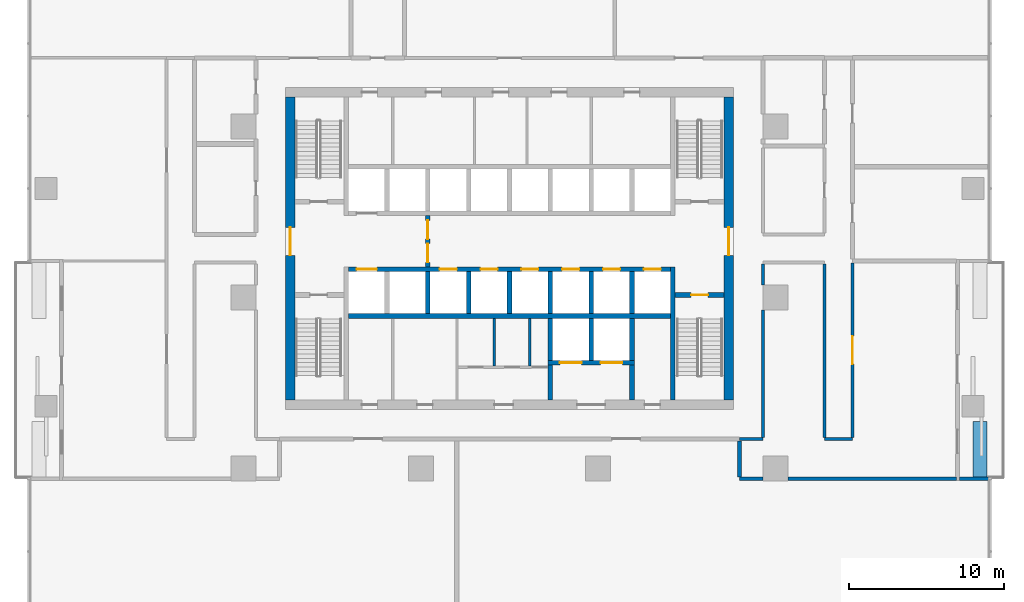
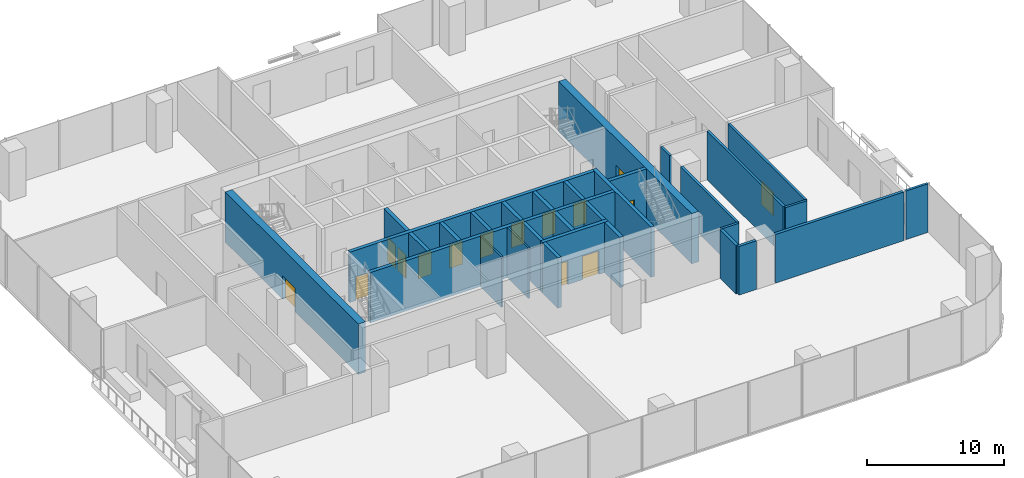
# One storey, part 8 of 14: 32 walls, 15 doors, 15 openings.
"""IFC4 building model written with IfcOpenShell, lengths in metres."""

from ifc_helpers import new_model, si_unit, direction, frame, frame_2d, origin, place, context, subcontext, project, spatial, rectangle, extrude, material, layer, layer_set, type_object, element, fill, save


model = new_model("IFC4")

# Units and contexts
model_context = context("Model", 3, precision=1e-05, world=origin(), true_north=direction((0.0, 1.0)))
body_context = subcontext(model_context, "Body", "Model", "MODEL_VIEW")
ifc_project = project(units=[si_unit("LENGTHUNIT", "METRE"), si_unit("AREAUNIT", "SQUARE_METRE"), si_unit("VOLUMEUNIT", "CUBIC_METRE"), si_unit("PLANEANGLEUNIT", "RADIAN"), si_unit("MASSUNIT", "GRAM", prefix="KILO")], contexts=[model_context])

# Site, building, storey
site_placement = place(None, origin())
site = spatial("IfcSite", under=ifc_project, at=site_placement, CompositionType="ELEMENT")
building_placement = place(site_placement, origin())
building = spatial("IfcBuilding", under=site, at=building_placement, Name="Mopane Tessera Tower", CompositionType="ELEMENT")
storey_placement = place(building_placement, frame((0.0, 0.0, 50.199951171875)))
storey = spatial("IfcBuildingStorey", under=building, at=storey_placement, Name="L09", CompositionType="ELEMENT", Elevation=50.199951171875)

# Walls
ifc_material_1 = material(Name="Fire-rated gypsum board partition")
ifc_layer_1 = layer(ifc_material_1, 0.14990234375)
ifc_layer_set_1 = layer_set([ifc_layer_1], Name="Fire-rated gypsum board partition")
wall_type_1 = type_object("IfcWallType", Name="Core room partition 150 mm", PredefinedType="PARTITIONING", material=ifc_layer_set_1)
for number, where, z_axis, x_axis, name in (
    (1, (-0.97509765625, -4.425048828125, 0.0), (0.0, 0.0, 1.0), (0.0, 1.0, 0.0), "L09 WC partition"),
    (2, (1.304931640625, -4.425048828125, 0.0), (0.0, 0.0, 1.0), (0.0, 1.0, 0.0), "L09 WC partition"),
):
    element("IfcWall", number, at=place(storey_placement, frame(where, z_axis=z_axis, x_axis=x_axis)), inside=storey, type_object=wall_type_1, Name=name, PredefinedType="PARTITIONING", context=body_context, shape_type="SweptSolid", body=[
        extrude(rectangle(XDim=3.074951171875, YDim=0.14990234375, at=frame_2d((1.53759765625, 0.0))), origin(), (0.0, 0.0, 1.0), 4.5),
    ])

# Wall, opening, door
ifc_material_2 = material(Name="Concrete C70/85", Category="concrete")
ifc_layer_2 = layer(ifc_material_2, 0.60009765625)
ifc_layer_set_2 = layer_set([ifc_layer_2], Name="Concrete C70/85")
wall_type_2 = type_object("IfcWallType", Name="Core shear wall 600 mm", PredefinedType="SHEAR", material=ifc_layer_set_2)
wall_1_placement = place(storey_placement, frame((-14.10009765625, -6.60009765625, 0.0), z_axis=(0.0, 0.0, 1.0), x_axis=(0.0, 1.0, 0.0)))
wall_1 = element("IfcWall", 3, at=wall_1_placement, inside=storey, type_object=wall_type_2, Name="L09 Core wall west", PredefinedType="SHEAR", context=body_context, shape_type="SweptSolid", body=[
    extrude(rectangle(XDim=19.5, YDim=0.60009765625, at=frame_2d((9.75, 0.0))), origin(), (0.0, 0.0, 1.0), 4.5),
])
opening_1_placement = place(wall_1_placement, frame((9.300048828125, 0.0, 0.0)))
opening_1 = element("IfcOpeningElement", 4, at=opening_1_placement, cuts=wall_1, Name="Opening SD2", PredefinedType="OPENING", context=body_context, shape_type="SweptSolid", body=[
    extrude(rectangle(XDim=1.800048828125, YDim=2.10009765625, at=frame_2d((0.89990234375, 1.050048828125))), frame((0.0, 0.31201171875, 0.0), z_axis=(0.0, -1.0, 0.0), x_axis=(1.0, 0.0, 0.0)), (0.0, 0.0, 1.0), 0.6240234375),
])
ifc_material_3 = material(Name="Steel fire door", Category="steel")
door_type_1 = type_object("IfcDoorType", Name="Core entrance double door 1800 x 2100", OperationType="DOUBLE_DOOR_SINGLE_SWING", PredefinedType="DOOR", material=ifc_material_3)
door_1_placement = place(opening_1_placement, origin())
door_1 = element("IfcDoor", 5, at=door_1_placement, inside=storey, type_object=door_type_1, Name="L09 Core entrance door west", OperationType="DOUBLE_DOOR_SINGLE_SWING", OverallHeight=2.10009765625, OverallWidth=1.800048828125, PredefinedType="DOOR", context=body_context, shape_type="SweptSolid", body=[
    extrude(rectangle(XDim=1.800048828125, YDim=2.10009765625, at=frame_2d((0.89990234375, 1.050048828125))), frame((0.0, 0.02490234375, 0.0), z_axis=(0.0, -1.0, 0.0), x_axis=(1.0, 0.0, 0.0)), (0.0, 0.0, 1.0), 0.050048828125),
])
fill(opening_1, door_1)

wall_2_placement = place(storey_placement, frame((14.10009765625, -6.60009765625, 0.0), z_axis=(0.0, 0.0, 1.0), x_axis=(0.0, 1.0, 0.0)))
wall_2 = element("IfcWall", 6, at=wall_2_placement, inside=storey, type_object=wall_type_2, Name="L09 Core wall east", PredefinedType="SHEAR", context=body_context, shape_type="SweptSolid", body=[
    extrude(rectangle(XDim=19.5, YDim=0.60009765625, at=frame_2d((9.75, 0.0))), origin(), (0.0, 0.0, 1.0), 4.5),
])
opening_2_placement = place(wall_2_placement, frame((9.300048828125, 0.0, 0.0)))
opening_2 = element("IfcOpeningElement", 7, at=opening_2_placement, cuts=wall_2, Name="Opening SD2", PredefinedType="OPENING", context=body_context, shape_type="SweptSolid", body=[
    extrude(rectangle(XDim=1.800048828125, YDim=2.10009765625, at=frame_2d((0.89990234375, 1.050048828125))), frame((0.0, 0.31201171875, 0.0), z_axis=(0.0, -1.0, 0.0), x_axis=(1.0, 0.0, 0.0)), (0.0, 0.0, 1.0), 0.6240234375),
])
door_2_placement = place(opening_2_placement, origin())
door_2 = element("IfcDoor", 8, at=door_2_placement, inside=storey, type_object=door_type_1, Name="L09 Core entrance door east", OperationType="DOUBLE_DOOR_SINGLE_SWING", OverallHeight=2.10009765625, OverallWidth=1.800048828125, PredefinedType="DOOR", context=body_context, shape_type="SweptSolid", body=[
    extrude(rectangle(XDim=1.800048828125, YDim=2.10009765625, at=frame_2d((0.89990234375, 1.050048828125))), frame((0.0, 0.02490234375, 0.0), z_axis=(0.0, -1.0, 0.0), x_axis=(1.0, 0.0, 0.0)), (0.0, 0.0, 1.0), 0.050048828125),
])
fill(opening_2, door_2)

# Walls
ifc_material_4 = material(Name="Concrete C60/75", Category="concrete")
ifc_layer_3 = layer(ifc_material_4, 0.300048828125)
ifc_layer_set_3 = layer_set([ifc_layer_3], Name="Concrete C60/75")
wall_type_3 = type_object("IfcWallType", Name="Core spine wall 300 mm", PredefinedType="SHEAR", material=ifc_layer_set_3)
wall_3_placement = place(storey_placement, frame((10.5, -6.60009765625, 0.0), z_axis=(0.0, 0.0, 1.0), x_axis=(0.0, 1.0, 0.0)))
element("IfcWall", 9, at=wall_3_placement, inside=storey, type_object=wall_type_3, Name="L09 Core spine wall", PredefinedType="SHEAR", context=body_context, shape_type="SweptSolid", body=[
    extrude(rectangle(XDim=8.550048828125, YDim=0.300048828125, at=frame_2d((4.27490234375, 0.0))), origin(), (0.0, 0.0, 1.0), 4.5),
])
ifc_material_5 = material(Name="Gypsum board on steel studs, two layers each face, mineral wool infill", Category="steel")
ifc_layer_4 = layer(ifc_material_5, 0.199951171875)
ifc_layer_set_4 = layer_set([ifc_layer_4], Name="Gypsum board on steel studs, two layers each face, mineral wool infill")
wall_type_4 = type_object("IfcWallType", Name="Gypsum board corridor wall 200, rated EI 60", PredefinedType="PARTITIONING", material=ifc_layer_set_4)
wall_4_placement = place(storey_placement, frame((14.800048828125, -9.10009765625, 0.0), z_axis=(0.0, 0.0, 1.0), x_axis=(1.0, 0.0, 0.0)))
element("IfcWall", 10, at=wall_4_placement, inside=storey, type_object=wall_type_4, Name="Partition L09:006", PredefinedType="PARTITIONING", context=body_context, shape_type="SweptSolid", body=[
    extrude(rectangle(XDim=1.5, YDim=0.199951171875, at=frame_2d((0.75, 0.0))), origin(), (0.0, 0.0, 1.0), 4.35009765625),
])
wall_5_placement = place(storey_placement, frame((20.25, -9.10009765625, 0.0), z_axis=(0.0, 0.0, 1.0), x_axis=(1.0, 0.0, 0.0)))
element("IfcWall", 11, at=wall_5_placement, inside=storey, type_object=wall_type_4, Name="Partition L09:007", PredefinedType="PARTITIONING", context=body_context, shape_type="SweptSolid", body=[
    extrude(rectangle(XDim=1.800048828125, YDim=0.199951171875, at=frame_2d((0.89990234375, 0.0))), origin(), (0.0, 0.0, 1.0), 4.35009765625),
])
wall_6_placement = place(storey_placement, frame((16.300048828125, -9.0, 0.0), z_axis=(0.0, 0.0, 1.0), x_axis=(0.0, 1.0, 0.0)))
element("IfcWall", 12, at=wall_6_placement, inside=storey, type_object=wall_type_4, Name="Partition L09:041", PredefinedType="PARTITIONING", context=body_context, shape_type="SweptSolid", body=[
    extrude(rectangle(XDim=8.199951171875, YDim=0.199951171875, at=frame_2d((4.10009765625, 0.0))), origin(), (0.0, 0.0, 1.0), 4.35009765625),
])
wall_7_placement = place(storey_placement, frame((16.300048828125, 0.800048828125, 0.0), z_axis=(0.0, 0.0, 1.0), x_axis=(0.0, 1.0, 0.0)))
element("IfcWall", 13, at=wall_7_placement, inside=storey, type_object=wall_type_4, Name="Partition L09:042", PredefinedType="PARTITIONING", context=body_context, shape_type="SweptSolid", body=[
    extrude(rectangle(XDim=1.349853515625, YDim=0.199951171875, at=frame_2d((0.6748046875, 0.0))), origin(), (0.0, 0.0, 1.0), 4.35009765625),
])
wall_8_placement = place(storey_placement, frame((20.25, -9.0, 0.0), z_axis=(0.0, 0.0, 1.0), x_axis=(0.0, 1.0, 0.0)))
element("IfcWall", 14, at=wall_8_placement, inside=storey, type_object=wall_type_4, Name="Partition L09:046", PredefinedType="PARTITIONING", context=body_context, shape_type="SweptSolid", body=[
    extrude(rectangle(XDim=11.14990234375, YDim=0.199951171875, at=frame_2d((5.574951171875, 0.0))), origin(), (0.0, 0.0, 1.0), 4.35009765625),
])

# Wall, opening, door
wall_9_placement = place(storey_placement, frame((22.050048828125, -9.0, 0.0), z_axis=(0.0, 0.0, 1.0), x_axis=(0.0, 1.0, 0.0)))
wall_9 = element("IfcWall", 15, at=wall_9_placement, inside=storey, type_object=wall_type_4, Name="Partition L09:049", PredefinedType="PARTITIONING", context=body_context, shape_type="SweptSolid", body=[
    extrude(rectangle(XDim=11.2099609375, YDim=0.199951171875, at=frame_2d((5.60498046875, 0.0))), origin(), (0.0, 0.0, 1.0), 4.35009765625),
])
opening_3_placement = place(wall_9_placement, frame((4.705078125, 0.0, 0.0)))
opening_3 = element("IfcOpeningElement", 16, at=opening_3_placement, cuts=wall_9, Name="Opening L09-15", PredefinedType="OPENING", context=body_context, shape_type="SweptSolid", body=[
    extrude(rectangle(XDim=1.800048828125, YDim=2.10009765625, at=frame_2d((0.89990234375, 1.050048828125))), frame((0.0, 0.112060546875, 0.0), z_axis=(0.0, -1.0, 0.0), x_axis=(1.0, 0.0, 0.0)), (0.0, 0.0, 1.0), 0.223876953125),
])
ifc_material_6 = material(Name="Timber veneered steel-framed fire door", Category="steel")
door_type_2 = type_object("IfcDoorType", Name="Fire door pair FD60 1800 x 2100", OperationType="DOUBLE_DOOR_SINGLE_SWING", PredefinedType="DOOR", material=ifc_material_6)
door_3_placement = place(opening_3_placement, origin())
door_3 = element("IfcDoor", 17, at=door_3_placement, inside=storey, type_object=door_type_2, Name="Door L09-15", ObjectType="D20A", OperationType="DOUBLE_DOOR_SINGLE_SWING", OverallHeight=2.10009765625, OverallWidth=1.800048828125, PredefinedType="DOOR", context=body_context, shape_type="SweptSolid", body=[
    extrude(rectangle(XDim=1.800048828125, YDim=2.10009765625, at=frame_2d((0.89990234375, 1.050048828125))), frame((0.0, 0.02490234375, 0.0), z_axis=(0.0, -1.0, 0.0), x_axis=(1.0, 0.0, 0.0)), (0.0, 0.0, 1.0), 0.050048828125),
])
fill(opening_3, door_3)

ifc_material_7 = material(Name="Concrete C50/60", Category="concrete")
ifc_layer_5 = layer(ifc_material_7, 0.300048828125)
ifc_layer_set_5 = layer_set([ifc_layer_5], Name="Concrete C50/60")
wall_type_5 = type_object("IfcWallType", Name="Lift and stair shaft wall 300 mm", PredefinedType="SOLIDWALL", material=ifc_layer_set_5)
wall_10_placement = place(storey_placement, frame((10.64990234375, 0.14990234375, 0.0), z_axis=(0.0, 0.0, 1.0), x_axis=(1.0, 0.0, 0.0)))
wall_10 = element("IfcWall", 18, at=wall_10_placement, inside=storey, type_object=wall_type_5, Name="L09 Stair enclosure wall", PredefinedType="SOLIDWALL", context=body_context, shape_type="SweptSolid", body=[
    extrude(rectangle(XDim=3.150146484375, YDim=0.300048828125, at=frame_2d((1.5751953125, 0.0))), origin(), (0.0, 0.0, 1.0), 4.5),
])
opening_4_placement = place(wall_10_placement, frame((1.02490234375, 0.0, 0.0)))
opening_4 = element("IfcOpeningElement", 19, at=opening_4_placement, cuts=wall_10, Name="Opening SD1", PredefinedType="OPENING", context=body_context, shape_type="SweptSolid", body=[
    extrude(rectangle(XDim=1.10009765625, YDim=2.10009765625, at=frame_2d((0.550048828125, 1.050048828125))), frame((0.0, 0.162109375, 0.0), z_axis=(0.0, -1.0, 0.0), x_axis=(1.0, 0.0, 0.0)), (0.0, 0.0, 1.0), 0.323974609375),
])
ifc_material_8 = material(Name="Steel fire door", Category="steel")
door_type_3 = type_object("IfcDoorType", Name="Stair fire door 1100 x 2100", OperationType="SINGLE_SWING_LEFT", PredefinedType="DOOR", material=ifc_material_8)
door_4_placement = place(opening_4_placement, origin())
door_4 = element("IfcDoor", 20, at=door_4_placement, inside=storey, type_object=door_type_3, Name="L09 Stair door ST3", OperationType="SINGLE_SWING_RIGHT", OverallHeight=2.10009765625, OverallWidth=1.10009765625, PredefinedType="DOOR", context=body_context, shape_type="SweptSolid", body=[
    extrude(rectangle(XDim=1.10009765625, YDim=2.10009765625, at=frame_2d((0.550048828125, 1.050048828125))), frame((0.0, 0.02490234375, 0.0), z_axis=(0.0, -1.0, 0.0), x_axis=(1.0, 0.0, 0.0)), (0.0, 0.0, 1.0), 0.050048828125),
])
fill(opening_4, door_4)

# Wall
wall_11_placement = place(storey_placement, frame((-10.35009765625, -1.199951171875, 0.0), z_axis=(0.0, 0.0, 1.0), x_axis=(1.0, 0.0, 0.0)))
element("IfcWall", 21, at=wall_11_placement, inside=storey, type_object=wall_type_5, Name="L09 Lift shaft rear wall", PredefinedType="SOLIDWALL", context=body_context, shape_type="SweptSolid", body=[
    extrude(rectangle(XDim=20.7001953125, YDim=0.300048828125, at=frame_2d((10.35009765625, 0.0))), origin(), (0.0, 0.0, 1.0), 4.5),
])

# Wall, openings, doors
wall_12_placement = place(storey_placement, frame((-10.35009765625, 1.800048828125, 0.0), z_axis=(0.0, 0.0, 1.0), x_axis=(1.0, 0.0, 0.0)))
wall_12 = element("IfcWall", 22, at=wall_12_placement, inside=storey, type_object=wall_type_5, Name="L09 Lift shaft front wall", PredefinedType="SOLIDWALL", context=body_context, shape_type="SweptSolid", body=[
    extrude(rectangle(XDim=20.7001953125, YDim=0.300048828125, at=frame_2d((10.35009765625, 0.0))), origin(), (0.0, 0.0, 1.0), 4.5),
])
opening_5_placement = place(wall_12_placement, frame((0.512451171875, 0.0, 0.0)))
opening_5 = element("IfcOpeningElement", 23, at=opening_5_placement, cuts=wall_12, Name="Opening LD2", PredefinedType="OPENING", context=body_context, shape_type="SweptSolid", body=[
    extrude(rectangle(XDim=1.300048828125, YDim=2.10009765625, at=frame_2d((0.64990234375, 1.050048828125))), frame((0.0, 0.162109375, 0.0), z_axis=(0.0, -1.0, 0.0), x_axis=(1.0, 0.0, 0.0)), (0.0, 0.0, 1.0), 0.323974609375),
])
opening_6_placement = place(wall_12_placement, frame((5.862548828125, 0.0, 0.0)))
opening_6 = element("IfcOpeningElement", 24, at=opening_6_placement, cuts=wall_12, Name="Opening LD", PredefinedType="OPENING", context=body_context, shape_type="SweptSolid", body=[
    extrude(rectangle(XDim=1.10009765625, YDim=2.10009765625, at=frame_2d((0.550048828125, 1.050048828125))), frame((0.0, 0.162109375, 0.0), z_axis=(0.0, -1.0, 0.0), x_axis=(1.0, 0.0, 0.0)), (0.0, 0.0, 1.0), 0.323974609375),
])
opening_7_placement = place(wall_12_placement, frame((8.487548828125, 0.0, 0.0)))
opening_7 = element("IfcOpeningElement", 25, at=opening_7_placement, cuts=wall_12, Name="Opening LD", PredefinedType="OPENING", context=body_context, shape_type="SweptSolid", body=[
    extrude(rectangle(XDim=1.10009765625, YDim=2.10009765625, at=frame_2d((0.550048828125, 1.050048828125))), frame((0.0, 0.162109375, 0.0), z_axis=(0.0, -1.0, 0.0), x_axis=(1.0, 0.0, 0.0)), (0.0, 0.0, 1.0), 0.323974609375),
])
opening_8_placement = place(wall_12_placement, frame((11.112548828125, 0.0, 0.0)))
opening_8 = element("IfcOpeningElement", 26, at=opening_8_placement, cuts=wall_12, Name="Opening LD", PredefinedType="OPENING", context=body_context, shape_type="SweptSolid", body=[
    extrude(rectangle(XDim=1.10009765625, YDim=2.10009765625, at=frame_2d((0.550048828125, 1.050048828125))), frame((0.0, 0.162109375, 0.0), z_axis=(0.0, -1.0, 0.0), x_axis=(1.0, 0.0, 0.0)), (0.0, 0.0, 1.0), 0.323974609375),
])
opening_9_placement = place(wall_12_placement, frame((13.737548828125, 0.0, 0.0)))
opening_9 = element("IfcOpeningElement", 27, at=opening_9_placement, cuts=wall_12, Name="Opening LD", PredefinedType="OPENING", context=body_context, shape_type="SweptSolid", body=[
    extrude(rectangle(XDim=1.10009765625, YDim=2.10009765625, at=frame_2d((0.550048828125, 1.050048828125))), frame((0.0, 0.162109375, 0.0), z_axis=(0.0, -1.0, 0.0), x_axis=(1.0, 0.0, 0.0)), (0.0, 0.0, 1.0), 0.323974609375),
])
opening_10_placement = place(wall_12_placement, frame((16.362548828125, 0.0, 0.0)))
opening_10 = element("IfcOpeningElement", 28, at=opening_10_placement, cuts=wall_12, Name="Opening LD", PredefinedType="OPENING", context=body_context, shape_type="SweptSolid", body=[
    extrude(rectangle(XDim=1.10009765625, YDim=2.10009765625, at=frame_2d((0.550048828125, 1.050048828125))), frame((0.0, 0.162109375, 0.0), z_axis=(0.0, -1.0, 0.0), x_axis=(1.0, 0.0, 0.0)), (0.0, 0.0, 1.0), 0.323974609375),
])
opening_11_placement = place(wall_12_placement, frame((18.987548828125, 0.0, 0.0)))
opening_11 = element("IfcOpeningElement", 29, at=opening_11_placement, cuts=wall_12, Name="Opening LD", PredefinedType="OPENING", context=body_context, shape_type="SweptSolid", body=[
    extrude(rectangle(XDim=1.10009765625, YDim=2.10009765625, at=frame_2d((0.550048828125, 1.050048828125))), frame((0.0, 0.162109375, 0.0), z_axis=(0.0, -1.0, 0.0), x_axis=(1.0, 0.0, 0.0)), (0.0, 0.0, 1.0), 0.323974609375),
])
ifc_material_9 = material(Name="Stainless steel sliding door", Category="steel")
door_type_4 = type_object("IfcDoorType", Name="Fire-fighting lift landing door 1300 x 2100", OperationType="DOUBLE_DOOR_SLIDING", PredefinedType="DOOR", material=ifc_material_9)
door_5_placement = place(opening_5_placement, origin())
door_5 = element("IfcDoor", 30, at=door_5_placement, inside=storey, type_object=door_type_4, Name="L09 Lift landing door FF1", OperationType="DOUBLE_DOOR_SLIDING", OverallHeight=2.10009765625, OverallWidth=1.300048828125, PredefinedType="DOOR", context=body_context, shape_type="SweptSolid", body=[
    extrude(rectangle(XDim=1.300048828125, YDim=2.10009765625, at=frame_2d((0.64990234375, 1.050048828125))), frame((0.0, 0.02490234375, 0.0), z_axis=(0.0, -1.0, 0.0), x_axis=(1.0, 0.0, 0.0)), (0.0, 0.0, 1.0), 0.050048828125),
])
fill(opening_5, door_5)
ifc_material_10 = material(Name="Stainless steel sliding door", Category="steel")
door_type_5 = type_object("IfcDoorType", Name="Lift landing door 1100 x 2100", OperationType="DOUBLE_DOOR_SLIDING", PredefinedType="DOOR", material=ifc_material_10)
door_6_placement = place(opening_6_placement, origin())
door_6 = element("IfcDoor", 31, at=door_6_placement, inside=storey, type_object=door_type_5, Name="L09 Lift landing door LR1", OperationType="DOUBLE_DOOR_SLIDING", OverallHeight=2.10009765625, OverallWidth=1.10009765625, PredefinedType="DOOR", context=body_context, shape_type="SweptSolid", body=[
    extrude(rectangle(XDim=1.10009765625, YDim=2.10009765625, at=frame_2d((0.550048828125, 1.050048828125))), frame((0.0, 0.02490234375, 0.0), z_axis=(0.0, -1.0, 0.0), x_axis=(1.0, 0.0, 0.0)), (0.0, 0.0, 1.0), 0.050048828125),
])
fill(opening_6, door_6)
door_7_placement = place(opening_7_placement, origin())
door_7 = element("IfcDoor", 32, at=door_7_placement, inside=storey, type_object=door_type_5, Name="L09 Lift landing door LR2", OperationType="DOUBLE_DOOR_SLIDING", OverallHeight=2.10009765625, OverallWidth=1.10009765625, PredefinedType="DOOR", context=body_context, shape_type="SweptSolid", body=[
    extrude(rectangle(XDim=1.10009765625, YDim=2.10009765625, at=frame_2d((0.550048828125, 1.050048828125))), frame((0.0, 0.02490234375, 0.0), z_axis=(0.0, -1.0, 0.0), x_axis=(1.0, 0.0, 0.0)), (0.0, 0.0, 1.0), 0.050048828125),
])
fill(opening_7, door_7)
door_8_placement = place(opening_8_placement, origin())
door_8 = element("IfcDoor", 33, at=door_8_placement, inside=storey, type_object=door_type_5, Name="L09 Lift landing door LR3", OperationType="DOUBLE_DOOR_SLIDING", OverallHeight=2.10009765625, OverallWidth=1.10009765625, PredefinedType="DOOR", context=body_context, shape_type="SweptSolid", body=[
    extrude(rectangle(XDim=1.10009765625, YDim=2.10009765625, at=frame_2d((0.550048828125, 1.050048828125))), frame((0.0, 0.02490234375, 0.0), z_axis=(0.0, -1.0, 0.0), x_axis=(1.0, 0.0, 0.0)), (0.0, 0.0, 1.0), 0.050048828125),
])
fill(opening_8, door_8)
door_9_placement = place(opening_9_placement, origin())
door_9 = element("IfcDoor", 34, at=door_9_placement, inside=storey, type_object=door_type_5, Name="L09 Lift landing door LR4", OperationType="DOUBLE_DOOR_SLIDING", OverallHeight=2.10009765625, OverallWidth=1.10009765625, PredefinedType="DOOR", context=body_context, shape_type="SweptSolid", body=[
    extrude(rectangle(XDim=1.10009765625, YDim=2.10009765625, at=frame_2d((0.550048828125, 1.050048828125))), frame((0.0, 0.02490234375, 0.0), z_axis=(0.0, -1.0, 0.0), x_axis=(1.0, 0.0, 0.0)), (0.0, 0.0, 1.0), 0.050048828125),
])
fill(opening_9, door_9)
door_10_placement = place(opening_10_placement, origin())
door_10 = element("IfcDoor", 35, at=door_10_placement, inside=storey, type_object=door_type_5, Name="L09 Lift landing door LR5", OperationType="DOUBLE_DOOR_SLIDING", OverallHeight=2.10009765625, OverallWidth=1.10009765625, PredefinedType="DOOR", context=body_context, shape_type="SweptSolid", body=[
    extrude(rectangle(XDim=1.10009765625, YDim=2.10009765625, at=frame_2d((0.550048828125, 1.050048828125))), frame((0.0, 0.02490234375, 0.0), z_axis=(0.0, -1.0, 0.0), x_axis=(1.0, 0.0, 0.0)), (0.0, 0.0, 1.0), 0.050048828125),
])
fill(opening_10, door_10)
door_11_placement = place(opening_11_placement, origin())
door_11 = element("IfcDoor", 36, at=door_11_placement, inside=storey, type_object=door_type_5, Name="L09 Lift landing door LR6", OperationType="DOUBLE_DOOR_SLIDING", OverallHeight=2.10009765625, OverallWidth=1.10009765625, PredefinedType="DOOR", context=body_context, shape_type="SweptSolid", body=[
    extrude(rectangle(XDim=1.10009765625, YDim=2.10009765625, at=frame_2d((0.550048828125, 1.050048828125))), frame((0.0, 0.02490234375, 0.0), z_axis=(0.0, -1.0, 0.0), x_axis=(1.0, 0.0, 0.0)), (0.0, 0.0, 1.0), 0.050048828125),
])
fill(opening_11, door_11)

# Walls
for number, where, z_axis, x_axis, name in (
    (37, (-5.25, -1.050048828125, 0.0), (0.0, 0.0, 1.0), (0.0, 1.0, 0.0), "L09 Lift shaft wall"),
    (38, (-2.625, -1.050048828125, 0.0), (0.0, 0.0, 1.0), (0.0, 1.0, 0.0), "L09 Lift shaft wall"),
    (39, (0.0, -1.050048828125, 0.0), (0.0, 0.0, 1.0), (0.0, 1.0, 0.0), "L09 Lift shaft wall"),
    (40, (2.625, -1.050048828125, 0.0), (0.0, 0.0, 1.0), (0.0, 1.0, 0.0), "L09 Lift shaft wall"),
    (41, (5.25, -1.050048828125, 0.0), (0.0, 0.0, 1.0), (0.0, 1.0, 0.0), "L09 Lift shaft wall"),
    (42, (7.875, -1.050048828125, 0.0), (0.0, 0.0, 1.0), (0.0, 1.0, 0.0), "L09 Lift shaft wall"),
):
    element("IfcWall", number, at=place(storey_placement, frame(where, z_axis=z_axis, x_axis=x_axis)), inside=storey, type_object=wall_type_5, Name=name, PredefinedType="SOLIDWALL", context=body_context, shape_type="SweptSolid", body=[
        extrude(rectangle(XDim=2.699951171875, YDim=0.300048828125, at=frame_2d((1.35009765625, 0.0))), origin(), (0.0, 0.0, 1.0), 4.5),
    ])

# Wall, openings, doors
wall_13_placement = place(storey_placement, frame((2.47509765625, -4.199951171875, 0.0), z_axis=(0.0, 0.0, 1.0), x_axis=(1.0, 0.0, 0.0)))
wall_13 = element("IfcWall", 43, at=wall_13_placement, inside=storey, type_object=wall_type_5, Name="L09 Lift shaft front wall", PredefinedType="SOLIDWALL", context=body_context, shape_type="SweptSolid", body=[
    extrude(rectangle(XDim=5.5498046875, YDim=0.300048828125, at=frame_2d((2.77490234375, 0.0))), origin(), (0.0, 0.0, 1.0), 4.5),
])
opening_12_placement = place(wall_13_placement, frame((0.762451171875, 0.0, 0.0)))
opening_12 = element("IfcOpeningElement", 44, at=opening_12_placement, cuts=wall_13, Name="Opening LD3", PredefinedType="OPENING", context=body_context, shape_type="SweptSolid", body=[
    extrude(rectangle(XDim=1.39990234375, YDim=2.10009765625, at=frame_2d((0.699951171875, 1.050048828125))), frame((0.0, 0.162109375, 0.0), z_axis=(0.0, -1.0, 0.0), x_axis=(1.0, 0.0, 0.0)), (0.0, 0.0, 1.0), 0.323974609375),
])
opening_13_placement = place(wall_13_placement, frame((3.387451171875, 0.0, 0.0)))
opening_13 = element("IfcOpeningElement", 45, at=opening_13_placement, cuts=wall_13, Name="Opening LD3", PredefinedType="OPENING", context=body_context, shape_type="SweptSolid", body=[
    extrude(rectangle(XDim=1.39990234375, YDim=2.10009765625, at=frame_2d((0.699951171875, 1.050048828125))), frame((0.0, 0.162109375, 0.0), z_axis=(0.0, -1.0, 0.0), x_axis=(1.0, 0.0, 0.0)), (0.0, 0.0, 1.0), 0.323974609375),
])
ifc_material_11 = material(Name="Stainless steel sliding door", Category="steel")
door_type_6 = type_object("IfcDoorType", Name="Service lift landing door 1400 x 2100", OperationType="DOUBLE_DOOR_SLIDING", PredefinedType="DOOR", material=ifc_material_11)
door_12_placement = place(opening_12_placement, origin())
door_12 = element("IfcDoor", 46, at=door_12_placement, inside=storey, type_object=door_type_6, Name="L09 Lift landing door SV1", OperationType="DOUBLE_DOOR_SLIDING", OverallHeight=2.10009765625, OverallWidth=1.39990234375, PredefinedType="DOOR", context=body_context, shape_type="SweptSolid", body=[
    extrude(rectangle(XDim=1.39990234375, YDim=2.10009765625, at=frame_2d((0.699951171875, 1.050048828125))), frame((0.0, 0.02490234375, 0.0), z_axis=(0.0, -1.0, 0.0), x_axis=(1.0, 0.0, 0.0)), (0.0, 0.0, 1.0), 0.050048828125),
])
fill(opening_12, door_12)
door_13_placement = place(opening_13_placement, origin())
door_13 = element("IfcDoor", 47, at=door_13_placement, inside=storey, type_object=door_type_6, Name="L09 Lift landing door SV2", OperationType="DOUBLE_DOOR_SLIDING", OverallHeight=2.10009765625, OverallWidth=1.39990234375, PredefinedType="DOOR", context=body_context, shape_type="SweptSolid", body=[
    extrude(rectangle(XDim=1.39990234375, YDim=2.10009765625, at=frame_2d((0.699951171875, 1.050048828125))), frame((0.0, 0.02490234375, 0.0), z_axis=(0.0, -1.0, 0.0), x_axis=(1.0, 0.0, 0.0)), (0.0, 0.0, 1.0), 0.050048828125),
])
fill(opening_13, door_13)

# Walls
for number, where, z_axis, x_axis, name in (
    (48, (2.625, -4.050048828125, 0.0), (0.0, 0.0, 1.0), (0.0, 1.0, 0.0), "L09 Lift shaft wall"),
    (49, (5.25, -4.050048828125, 0.0), (0.0, 0.0, 1.0), (0.0, 1.0, 0.0), "L09 Lift shaft wall"),
    (50, (7.875, -4.050048828125, 0.0), (0.0, 0.0, 1.0), (0.0, 1.0, 0.0), "L09 Lift shaft wall"),
):
    element("IfcWall", number, at=place(storey_placement, frame(where, z_axis=z_axis, x_axis=x_axis)), inside=storey, type_object=wall_type_5, Name=name, PredefinedType="SOLIDWALL", context=body_context, shape_type="SweptSolid", body=[
        extrude(rectangle(XDim=2.699951171875, YDim=0.300048828125, at=frame_2d((1.35009765625, 0.0))), origin(), (0.0, 0.0, 1.0), 4.5),
    ])

# Wall, openings, doors
ifc_material_12 = material(Name="Concrete C50/60", Category="concrete")
ifc_layer_6 = layer(ifc_material_12, 0.300048828125)
ifc_layer_set_6 = layer_set([ifc_layer_6], Name="Concrete C50/60")
wall_type_6 = type_object("IfcWallType", Name="Lobby and refuge room wall 300 mm", PredefinedType="SOLIDWALL", material=ifc_layer_set_6)
wall_14_placement = place(storey_placement, frame((-5.25, 1.949951171875, 0.0), z_axis=(0.0, 0.0, 1.0), x_axis=(0.0, 1.0, 0.0)))
wall_14 = element("IfcWall", 51, at=wall_14_placement, inside=storey, type_object=wall_type_6, Name="L09 Fire-fighting lobby wall", PredefinedType="SOLIDWALL", context=body_context, shape_type="SweptSolid", body=[
    extrude(rectangle(XDim=3.300048828125, YDim=0.300048828125, at=frame_2d((1.64990234375, 0.0))), origin(), (0.0, 0.0, 1.0), 4.5),
])
opening_14_placement = place(wall_14_placement, frame((0.300048828125, 0.0, 0.0)))
opening_14 = element("IfcOpeningElement", 52, at=opening_14_placement, cuts=wall_14, Name="Opening SD3", PredefinedType="OPENING", context=body_context, shape_type="SweptSolid", body=[
    extrude(rectangle(XDim=1.199951171875, YDim=2.10009765625, at=frame_2d((0.60009765625, 1.050048828125))), frame((0.0, 0.162109375, 0.0), z_axis=(0.0, -1.0, 0.0), x_axis=(1.0, 0.0, 0.0)), (0.0, 0.0, 1.0), 0.323974609375),
])
opening_15_placement = place(wall_14_placement, frame((1.800048828125, 0.0, 0.0)))
opening_15 = element("IfcOpeningElement", 53, at=opening_15_placement, cuts=wall_14, Name="Opening SD3", PredefinedType="OPENING", context=body_context, shape_type="SweptSolid", body=[
    extrude(rectangle(XDim=1.199951171875, YDim=2.10009765625, at=frame_2d((0.60009765625, 1.050048828125))), frame((0.0, 0.162109375, 0.0), z_axis=(0.0, -1.0, 0.0), x_axis=(1.0, 0.0, 0.0)), (0.0, 0.0, 1.0), 0.323974609375),
])
ifc_material_13 = material(Name="Steel fire door", Category="steel")
door_type_7 = type_object("IfcDoorType", Name="Lobby fire door 1200 x 2100", OperationType="SINGLE_SWING_LEFT", PredefinedType="DOOR", material=ifc_material_13)
door_14_placement = place(opening_14_placement, origin())
door_14 = element("IfcDoor", 54, at=door_14_placement, inside=storey, type_object=door_type_7, Name="L09 Fire-fighting lobby door", OperationType="SINGLE_SWING_LEFT", OverallHeight=2.10009765625, OverallWidth=1.199951171875, PredefinedType="DOOR", context=body_context, shape_type="SweptSolid", body=[
    extrude(rectangle(XDim=1.199951171875, YDim=2.10009765625, at=frame_2d((0.60009765625, 1.050048828125))), frame((0.0, 0.02490234375, 0.0), z_axis=(0.0, -1.0, 0.0), x_axis=(1.0, 0.0, 0.0)), (0.0, 0.0, 1.0), 0.050048828125),
])
fill(opening_14, door_14)
door_15_placement = place(opening_15_placement, origin())
door_15 = element("IfcDoor", 55, at=door_15_placement, inside=storey, type_object=door_type_7, Name="L09 Fire-fighting lobby door", OperationType="SINGLE_SWING_RIGHT", OverallHeight=2.10009765625, OverallWidth=1.199951171875, PredefinedType="DOOR", context=body_context, shape_type="SweptSolid", body=[
    extrude(rectangle(XDim=1.199951171875, YDim=2.10009765625, at=frame_2d((0.60009765625, 1.050048828125))), frame((0.0, 0.02490234375, 0.0), z_axis=(0.0, -1.0, 0.0), x_axis=(1.0, 0.0, 0.0)), (0.0, 0.0, 1.0), 0.050048828125),
])
fill(opening_15, door_15)

# Walls
for number, where, z_axis, x_axis, name in (
    (56, (2.625, -6.60009765625, 0.0), (0.0, 0.0, 1.0), (0.0, 1.0, 0.0), "L09 Service lobby wall"),
    (57, (7.875, -6.60009765625, 0.0), (0.0, 0.0, 1.0), (0.0, 1.0, 0.0), "L09 Service lobby wall"),
):
    element("IfcWall", number, at=place(storey_placement, frame(where, z_axis=z_axis, x_axis=x_axis)), inside=storey, type_object=wall_type_6, Name=name, PredefinedType="SOLIDWALL", context=body_context, shape_type="SweptSolid", body=[
        extrude(rectangle(XDim=2.25, YDim=0.300048828125, at=frame_2d((1.125, 0.0))), origin(), (0.0, 0.0, 1.0), 4.5),
    ])
ifc_material_14 = material(Name="Reinforced concrete C32/40 with waterproofing", Category="concrete")
ifc_layer_7 = layer(ifc_material_14, 0.89990234375)
ifc_layer_set_7 = layer_set([ifc_layer_7], Name="Reinforced concrete C32/40 with waterproofing")
wall_type_7 = type_object("IfcWallType", Name="Planter trough 3600 x 900", PredefinedType="STANDARD", material=ifc_layer_set_7)
wall_15_placement = place(storey_placement, frame((30.25, -11.566650390625, 0.0), z_axis=(0.0, 0.0, 1.0), x_axis=(0.0, 1.0, 0.0)))
element("IfcWall", 58, at=wall_15_placement, inside=storey, type_object=wall_type_7, Name="e:nw:L09:N1:pl0", PredefinedType="STANDARD", context=body_context, shape_type="SweptSolid", body=[
    extrude(rectangle(XDim=3.60009765625, YDim=0.89990234375, at=frame_2d((1.800048828125, 0.0))), origin(), (0.0, 0.0, 1.0), 0.699951171875),
])
ifc_material_15 = material(Name="Plastered concrete blockwork C20/25", Category="masonry")
ifc_layer_8 = layer(ifc_material_15, 0.25)
ifc_layer_set_8 = layer_set([ifc_layer_8], Name="Plastered concrete blockwork C20/25")
wall_type_8 = type_object("IfcWallType", Name="Plastered blockwork wall 250, rated EI 120", PredefinedType="PARTITIONING", material=ifc_layer_set_8)
wall_16_placement = place(storey_placement, frame((14.800048828125, -11.6650390625, 0.0), z_axis=(0.0, 0.0, 1.0), x_axis=(1.0, 0.0, 0.0)))
element("IfcWall", 59, at=wall_16_placement, inside=storey, type_object=wall_type_8, Name="Partition L09:002", PredefinedType="PARTITIONING", context=body_context, shape_type="SweptSolid", body=[
    extrude(rectangle(XDim=1.5, YDim=0.25, at=frame_2d((0.75, 0.0))), origin(), (0.0, 0.0, 1.0), 4.35009765625),
])
wall_17_placement = place(storey_placement, frame((17.89990234375, -11.6650390625, 0.0), z_axis=(0.0, 0.0, 1.0), x_axis=(1.0, 0.0, 0.0)))
element("IfcWall", 60, at=wall_17_placement, inside=storey, type_object=wall_type_8, Name="Partition L09:003", PredefinedType="PARTITIONING", context=body_context, shape_type="SweptSolid", body=[
    extrude(rectangle(XDim=10.85009765625, YDim=0.25, at=frame_2d((5.425048828125, 0.0))), origin(), (0.0, 0.0, 1.0), 4.35009765625),
])
wall_18_placement = place(storey_placement, frame((14.800048828125, -11.5400390625, 0.0), z_axis=(0.0, 0.0, 1.0), x_axis=(0.0, 1.0, 0.0)))
element("IfcWall", 61, at=wall_18_placement, inside=storey, type_object=wall_type_8, Name="Partition L09:040", PredefinedType="PARTITIONING", context=body_context, shape_type="SweptSolid", body=[
    extrude(rectangle(XDim=2.31494140625, YDim=0.25, at=frame_2d((1.157470703125, 0.0))), origin(), (0.0, 0.0, 1.0), 4.35009765625),
])
ifc_material_16 = material(Name="Blockwork with glazed tile facing", Category="masonry")
ifc_layer_9 = layer(ifc_material_16, 0.199951171875)
ifc_layer_set_9 = layer_set([ifc_layer_9], Name="Blockwork with glazed tile facing")
wall_type_9 = type_object("IfcWallType", Name="Terrace cheek wall 200", PredefinedType="STANDARD", material=ifc_layer_set_9)
wall_19_placement = place(storey_placement, frame((30.800048828125, -11.666748046875, 0.0), z_axis=(0.0, 0.0, 1.0), x_axis=(-1.0, 0.0, 0.0)))
element("IfcWall", 62, at=wall_19_placement, inside=storey, type_object=wall_type_9, Name="e:nw:L09:N1:cheeka", PredefinedType="STANDARD", context=body_context, shape_type="SweptSolid", body=[
    extrude(rectangle(XDim=1.875, YDim=0.199951171875, at=frame_2d((0.9375, 0.0))), origin(), (0.0, 0.0, 1.0), 4.35009765625),
])

save(model, "model.ifc")
